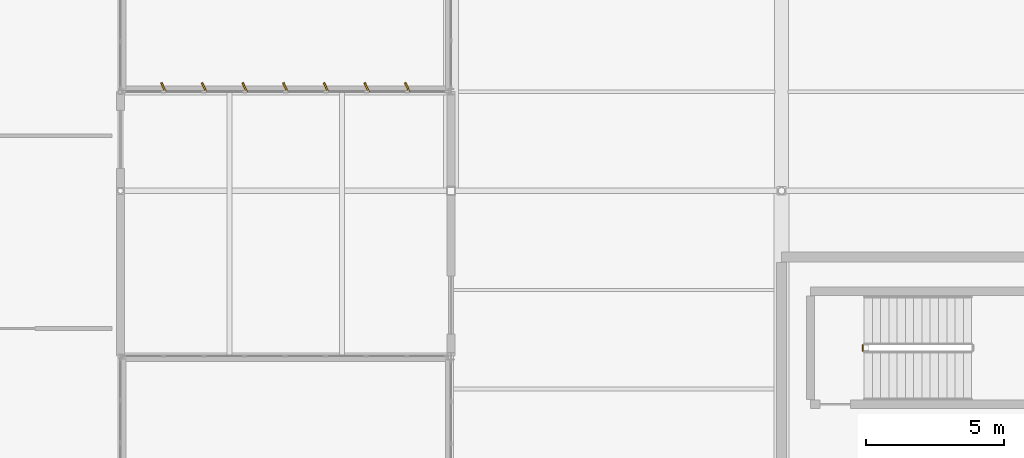
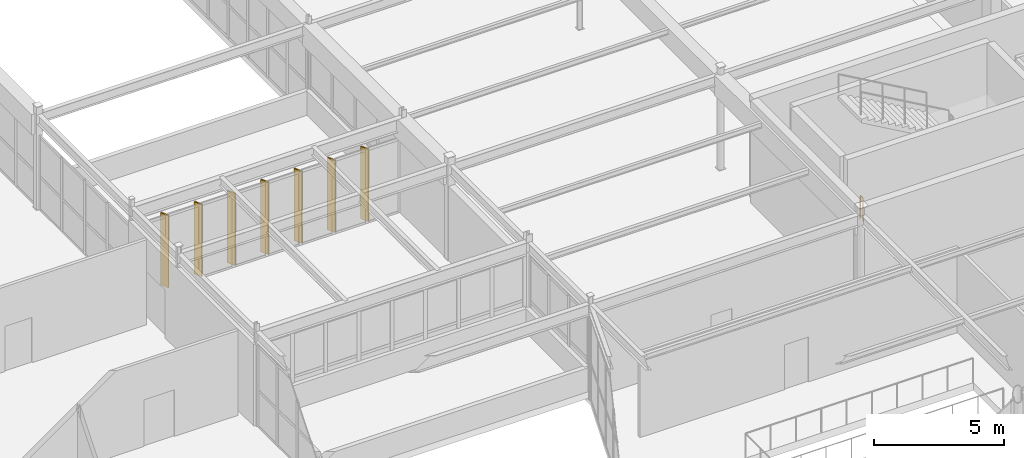
# One storey, part 223 of 226: 7 shading devices, 1 railing.
"""IFC4 building model written with IfcOpenShell, lengths in metres."""

from ifc_helpers import new_model, si_unit, direction, frame, origin, origin_2d, place, context, subcontext, project, spatial, rectangle, circle, extrude, material, layer, layer_set, type_object, element, save


model = new_model("IFC4")

# Units and contexts
model_context = context("Model", 3, precision=1e-05, world=origin(), true_north=direction((0.0, 1.0)))
body_context = subcontext(model_context, "Body", "Model", "MODEL_VIEW")
ifc_project = project(units=[si_unit("LENGTHUNIT", "METRE"), si_unit("AREAUNIT", "SQUARE_METRE"), si_unit("VOLUMEUNIT", "CUBIC_METRE"), si_unit("PLANEANGLEUNIT", "RADIAN"), si_unit("MASSUNIT", "GRAM", prefix="KILO")], contexts=[model_context])

# Site, building, storey
site_placement = place(None, origin())
site = spatial("IfcSite", under=ifc_project, at=site_placement, CompositionType="ELEMENT")
building_placement = place(site_placement, origin())
building = spatial("IfcBuilding", under=site, at=building_placement, Name="Tarnwether General Hospital", CompositionType="ELEMENT")
storey_placement = place(building_placement, frame((0.0, 0.0, 4.800048828125)))
storey = spatial("IfcBuildingStorey", under=building, at=storey_placement, Name="L01", CompositionType="ELEMENT", Elevation=4.800048828125)

# Railing
ifc_material_1 = material(Name="Anodised aluminium", Category="aluminium")
railing_type = type_object("IfcRailingType", Name="RL-GRD-INT", PredefinedType="GUARDRAIL", material=ifc_material_1)
railing_placement = place(storey_placement, frame((158.949951171875, 98.60009765625, 0.0)))
element("IfcRailing", 1, at=railing_placement, inside=storey, type_object=railing_type, Name="L01 ST-06 stair guard 4", PredefinedType="GUARDRAIL", context=body_context, shape_type="SweptSolid", body=[
    extrude(circle(Radius=0.02392578125, at=origin_2d()), frame((0.0, 0.0, 1.076171875), z_axis=(0.0, 1.0, 0.0), x_axis=(-1.0, 0.0, 0.0)), (0.0, 0.0, 1.0), 0.199951171875),
    extrude(circle(Radius=0.02099609375, at=origin_2d()), origin(), (0.0, 0.0, 1.0), 1.052001953125),
    extrude(circle(Radius=0.02099609375, at=origin_2d()), frame((0.0, 0.199951171875, 0.0)), (0.0, 0.0, 1.0), 1.052001953125),
])

# Shading devices
ifc_material_2 = material(Name="Champagne-bronze anodised aluminium", Category="aluminium")
ifc_layer = layer(ifc_material_2, 0.06005859375)
ifc_layer_set = layer_set([ifc_layer], Name="Champagne-bronze anodised aluminium")
shading_device_type = type_object("IfcShadingDeviceType", Name="SH-FIN-BRZ", PredefinedType="USERDEFINED", material=ifc_layer_set)
for number, where, z_axis, x_axis, name in (
    (2, (133.55908203125, 108.159912109375, 0.050048828125), (0.0, 0.0, 1.0), (0.906307787037, 0.422618261741, 0.0), "Champagne-Bronze Brise-Soleil Fin 0373"),
    (3, (135.034912109375, 108.159912109375, 0.050048828125), (0.0, 0.0, 1.0), (0.906307787037, 0.422618261741, 0.0), "Champagne-Bronze Brise-Soleil Fin 0374"),
    (4, (136.510009765625, 108.159912109375, 0.050048828125), (0.0, 0.0, 1.0), (0.906307787037, 0.422618261741, 0.0), "Champagne-Bronze Brise-Soleil Fin 0375"),
    (5, (137.986083984375, 108.159912109375, 0.050048828125), (0.0, 0.0, 1.0), (0.906307787037, 0.422618261741, 0.0), "Champagne-Bronze Brise-Soleil Fin 0376"),
    (6, (139.4619140625, 108.159912109375, 0.050048828125), (0.0, 0.0, 1.0), (0.906307787037, 0.422618261741, 0.0), "Champagne-Bronze Brise-Soleil Fin 0377"),
    (7, (140.93798828125, 108.159912109375, 0.050048828125), (0.0, 0.0, 1.0), (0.906307787037, 0.422618261741, 0.0), "Champagne-Bronze Brise-Soleil Fin 0378"),
    (8, (142.4140625, 108.159912109375, 0.050048828125), (0.0, 0.0, 1.0), (0.906307787037, 0.422618261741, 0.0), "Champagne-Bronze Brise-Soleil Fin 0379"),
):
    element("IfcShadingDevice", number, at=place(storey_placement, frame(where, z_axis=z_axis, x_axis=x_axis)), inside=storey, type_object=shading_device_type, Name=name, ObjectType="SOLAR FIN", PredefinedType="USERDEFINED", context=body_context, shape_type="SweptSolid", body=[
        extrude(rectangle(XDim=0.06005859375, YDim=0.360107421875, at=origin_2d()), origin(), (0.0, 0.0, 1.0), 3.3798828125),
    ])

save(model, "model.ifc")
